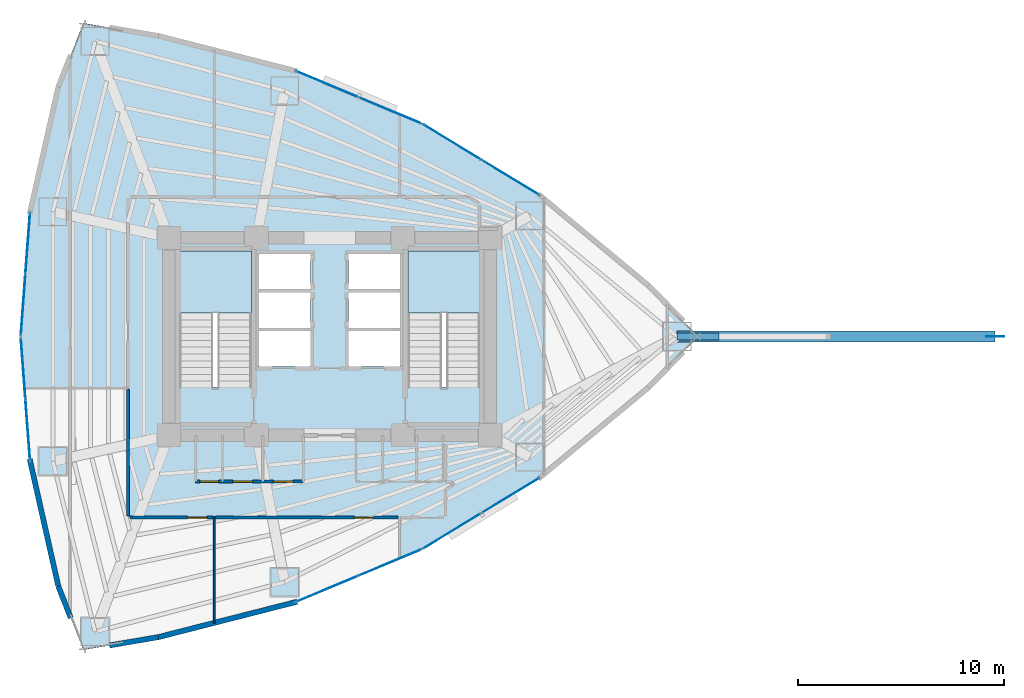
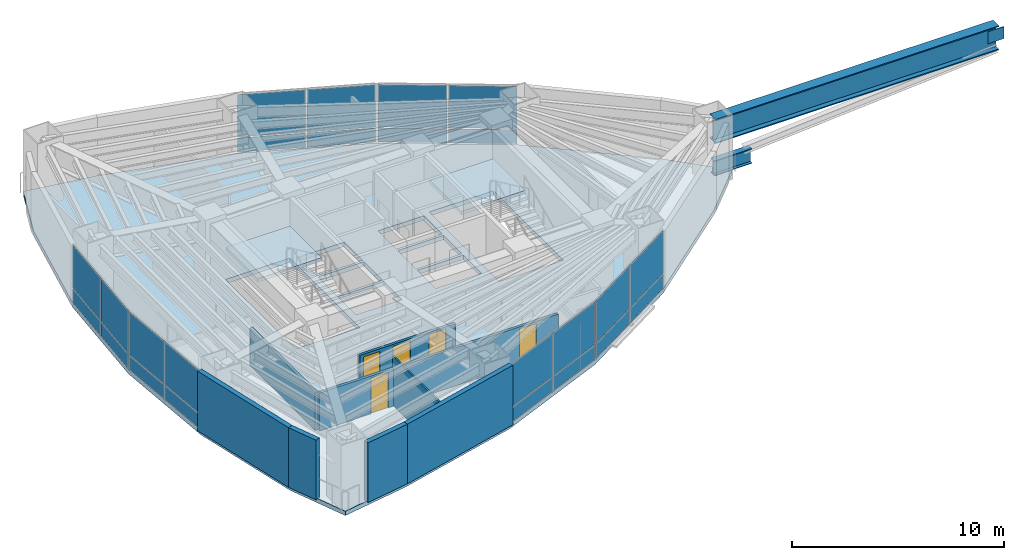
# One storey, part 13 of 18: 25 plates, 9 walls, 5 doors, 3 slabs, 2 beams, 5 openings, 8 elements without a shape of their own.
"""IFC4 building model written with IfcOpenShell, lengths in metres."""

from ifc_helpers import new_model, si_unit, direction, frame, frame_2d, origin, origin_2d, place, context, subcontext, project, spatial, polyline, rectangle, i_section, outline, extrude, material, layer, layer_set, material_profile, profile_set, type_object, element, fill, aggregate, save


model = new_model("IFC4")

# Units and contexts
model_context = context("Model", 3, precision=1e-05, world=origin(), true_north=direction((0.0, 1.0)))
body_context = subcontext(model_context, "Body", "Model", "MODEL_VIEW")
ifc_project = project(units=[si_unit("LENGTHUNIT", "METRE"), si_unit("AREAUNIT", "SQUARE_METRE"), si_unit("VOLUMEUNIT", "CUBIC_METRE"), si_unit("PLANEANGLEUNIT", "RADIAN"), si_unit("MASSUNIT", "GRAM", prefix="KILO")], contexts=[model_context])

# Site, building, storey
site_placement = place(None, origin())
site = spatial("IfcSite", under=ifc_project, at=site_placement, CompositionType="ELEMENT")
building_placement = place(site_placement, origin())
building = spatial("IfcBuilding", under=site, at=building_placement, Name="Menara Vayukalpa", CompositionType="ELEMENT")
storey_placement = place(building_placement, frame((0.0, 0.0, 53.639892578125)))
storey = spatial("IfcBuildingStorey", under=building, at=storey_placement, Name="L12", CompositionType="ELEMENT", Elevation=53.639892578125)

# Beams
ifc_material_1 = material(Name="Steel S355", Category="steel")
ifc_material_profile_1 = material_profile(ifc_material_1, i_section(OverallWidth=0.320068359375, OverallDepth=0.85009765625, WebThickness=0.01611328125, FlangeThickness=0.030029296875, at=origin_2d()), Name="WF 850x320x16x30")
ifc_profile_set_1 = profile_set([ifc_material_profile_1], Name="Steel S355")
beam_type_1 = type_object("IfcBeamType", Name="BM-PG2E", PredefinedType="BEAM", material=ifc_profile_set_1)
beam_1_placement = place(storey_placement, frame((42.46484375, 22.0, 0.550048828125), z_axis=(1.0, 0.0, 0.0), x_axis=(0.0, 1.0, 0.0)))
element("IfcBeam", 1, at=beam_1_placement, inside=storey, type_object=beam_type_1, Name="L12 SB1 Exterior Outrigger Corbel Bracket 01", PredefinedType="BEAM", context=body_context, shape_type="SweptSolid", body=[
    extrude(i_section(OverallWidth=0.320068359375, OverallDepth=0.85009765625, WebThickness=0.01611328125, FlangeThickness=0.030029296875, at=origin_2d()), origin(), (0.0, 0.0, 1.0), 2.050048828125),
])
ifc_material_2 = material(Name="Steel S460", Category="steel")
ifc_material_profile_2 = material_profile(ifc_material_2, i_section(OverallWidth=0.550048828125, OverallDepth=1.39990234375, WebThickness=0.031982421875, FlangeThickness=0.06005859375, at=origin_2d()), Name="WG 1400x550x32x60")
ifc_profile_set_2 = profile_set([ifc_material_profile_2], Name="Steel S460")
beam_type_2 = type_object("IfcBeamType", Name="BM-TG1E", PredefinedType="BEAM", material=ifc_profile_set_2)
beam_2_placement = place(storey_placement, frame((42.46484375, 22.0, 2.739990234375), z_axis=(1.0, 0.0, 0.0), x_axis=(0.0, 1.0, 0.0)))
element("IfcBeam", 2, at=beam_2_placement, inside=storey, type_object=beam_type_2, Name="L12 SB1 Cantilever Support Transfer Girder 01", PredefinedType="BEAM", context=body_context, shape_type="SweptSolid", body=[
    extrude(i_section(OverallWidth=0.550048828125, OverallDepth=1.39990234375, WebThickness=0.031982421875, FlangeThickness=0.06005859375, at=origin_2d()), origin(), (0.0, 0.0, 1.0), 15.44287109375),
])

# Curtain wall, plates
ifc_material_3 = material(Name="Anodised Terracotta Aluminium Alloy 6063-T6", Category="masonry")
ifc_layer_1 = layer(ifc_material_3, 0.1650390625)
ifc_layer_set_1 = layer_set([ifc_layer_1], Name="Anodised Terracotta Aluminium Alloy 6063-T6")
curtain_wall_type = type_object("IfcCurtainWallType", Name="CW-CW2", PredefinedType="USERDEFINED", material=ifc_layer_set_1)
curtain_wall_1_placement = place(storey_placement, origin())
curtain_wall_1 = element("IfcCurtainWall", 3, at=curtain_wall_1_placement, inside=storey, type_object=curtain_wall_type, Name="L12 Low Rise Terracotta Ribbon Curtain Wall CW2 04", ObjectType="UNITISED", PredefinedType="USERDEFINED")
ifc_material_4 = material(Name="Low-E Double Glazing", Category="glass")
ifc_layer_2 = layer(ifc_material_4, 0.031982421875)
ifc_layer_set_2 = layer_set([ifc_layer_2], Name="Low-E Double Glazing")
plate_type_1 = type_object("IfcPlateType", Name="CWP-CW2", PredefinedType="CURTAIN_PANEL", material=ifc_layer_set_2)
plate_1_placement = place(storey_placement, frame((34.371826171875, 29.721435546875, 0.06494140625), z_axis=(0.0, 0.0, 1.0), x_axis=(-0.854663727945, 0.519181964377, 0.0)))
plate_1 = element("IfcPlate", 4, at=plate_1_placement, type_object=plate_type_1, Name="CW2 panel 1.1", PredefinedType="CURTAIN_PANEL", context=body_context, shape_type="SweptSolid", body=[
    extrude(rectangle(XDim=3.24267578125, YDim=0.031982421875, at=origin_2d()), origin(), (0.0, 0.0, 1.0), 0.802490234375),
])
plate_2_placement = place(storey_placement, frame((34.371826171875, 29.721435546875, 0.9326171875), z_axis=(0.0, 0.0, 1.0), x_axis=(-0.854663727945, 0.519181964377, 0.0)))
plate_2 = element("IfcPlate", 5, at=plate_2_placement, type_object=plate_type_1, Name="CW2 panel 1.2", PredefinedType="CURTAIN_PANEL", context=body_context, shape_type="SweptSolid", body=[
    extrude(rectangle(XDim=3.24267578125, YDim=0.031982421875, at=origin_2d()), origin(), (0.0, 0.0, 1.0), 2.4423828125),
])
plate_3_placement = place(storey_placement, frame((31.54052734375, 31.44140625, 0.06494140625), z_axis=(0.0, 0.0, 1.0), x_axis=(-0.854663727945, 0.519181964377, 0.0)))
plate_3 = element("IfcPlate", 6, at=plate_3_placement, type_object=plate_type_1, Name="CW2 panel 2.1", PredefinedType="CURTAIN_PANEL", context=body_context, shape_type="SweptSolid", body=[
    extrude(rectangle(XDim=3.24267578125, YDim=0.031982421875, at=origin_2d()), origin(), (0.0, 0.0, 1.0), 0.802490234375),
])
plate_4_placement = place(storey_placement, frame((31.54052734375, 31.44140625, 0.9326171875), z_axis=(0.0, 0.0, 1.0), x_axis=(-0.854663727945, 0.519181964377, 0.0)))
plate_4 = element("IfcPlate", 7, at=plate_4_placement, type_object=plate_type_1, Name="CW2 panel 2.2", PredefinedType="CURTAIN_PANEL", context=body_context, shape_type="SweptSolid", body=[
    extrude(rectangle(XDim=3.24267578125, YDim=0.031982421875, at=origin_2d()), origin(), (0.0, 0.0, 1.0), 2.4423828125),
])
aggregate(curtain_wall_1, [plate_1, plate_2, plate_3, plate_4])

curtain_wall_2_placement = place(storey_placement, origin())
curtain_wall_2 = element("IfcCurtainWall", 8, at=curtain_wall_2_placement, inside=storey, type_object=curtain_wall_type, Name="L12 Low Rise Terracotta Ribbon Curtain Wall CW2 05", ObjectType="UNITISED", PredefinedType="USERDEFINED")
plate_5_placement = place(storey_placement, frame((28.534912109375, 32.97216796875, 0.06494140625), z_axis=(0.0, 0.0, 1.0), x_axis=(-0.922542658101, 0.385895120445, 0.0)))
plate_5 = element("IfcPlate", 9, at=plate_5_placement, type_object=plate_type_1, Name="CW2 panel 1.1", PredefinedType="CURTAIN_PANEL", context=body_context, shape_type="SweptSolid", body=[
    extrude(rectangle(XDim=3.242431640625, YDim=0.031982421875, at=origin_2d()), origin(), (0.0, 0.0, 1.0), 0.802490234375),
])
plate_6_placement = place(storey_placement, frame((28.534912109375, 32.97216796875, 0.9326171875), z_axis=(0.0, 0.0, 1.0), x_axis=(-0.922542658101, 0.385895120445, 0.0)))
plate_6 = element("IfcPlate", 10, at=plate_6_placement, type_object=plate_type_1, Name="CW2 panel 1.2", PredefinedType="CURTAIN_PANEL", context=body_context, shape_type="SweptSolid", body=[
    extrude(rectangle(XDim=3.242431640625, YDim=0.031982421875, at=origin_2d()), origin(), (0.0, 0.0, 1.0), 2.4423828125),
])
plate_7_placement = place(storey_placement, frame((25.478759765625, 34.250244140625, 0.06494140625), z_axis=(0.0, 0.0, 1.0), x_axis=(-0.922542658101, 0.385895120445, 0.0)))
plate_7 = element("IfcPlate", 11, at=plate_7_placement, type_object=plate_type_1, Name="CW2 panel 2.1", PredefinedType="CURTAIN_PANEL", context=body_context, shape_type="SweptSolid", body=[
    extrude(rectangle(XDim=3.242431640625, YDim=0.031982421875, at=origin_2d()), origin(), (0.0, 0.0, 1.0), 0.802490234375),
])
plate_8_placement = place(storey_placement, frame((25.478759765625, 34.250244140625, 0.9326171875), z_axis=(0.0, 0.0, 1.0), x_axis=(-0.922542658101, 0.385895120445, 0.0)))
plate_8 = element("IfcPlate", 12, at=plate_8_placement, type_object=plate_type_1, Name="CW2 panel 2.2", PredefinedType="CURTAIN_PANEL", context=body_context, shape_type="SweptSolid", body=[
    extrude(rectangle(XDim=3.242431640625, YDim=0.031982421875, at=origin_2d()), origin(), (0.0, 0.0, 1.0), 2.4423828125),
])
aggregate(curtain_wall_2, [plate_5, plate_6, plate_7, plate_8])

curtain_wall_3_placement = place(storey_placement, origin())
curtain_wall_3 = element("IfcCurtainWall", 13, at=curtain_wall_3_placement, inside=storey, type_object=curtain_wall_type, Name="L12 Low Rise Terracotta Ribbon Curtain Wall CW2 10", ObjectType="UNITISED", PredefinedType="USERDEFINED")
plate_9_placement = place(storey_placement, frame((10.94921875, 26.52734375, 0.06494140625), z_axis=(0.0, 0.0, 1.0), x_axis=(-0.074794857576, -0.997198941676, 0.0)))
plate_9 = element("IfcPlate", 14, at=plate_9_placement, type_object=plate_type_1, Name="CW2 panel 1.1", PredefinedType="CURTAIN_PANEL", context=body_context, shape_type="SweptSolid", body=[
    extrude(rectangle(XDim=2.933349609375, YDim=0.031982421875, at=origin_2d()), origin(), (0.0, 0.0, 1.0), 0.802490234375),
])
plate_10_placement = place(storey_placement, frame((10.94921875, 26.52734375, 0.9326171875), z_axis=(0.0, 0.0, 1.0), x_axis=(-0.074794857576, -0.997198941676, 0.0)))
plate_10 = element("IfcPlate", 15, at=plate_10_placement, type_object=plate_type_1, Name="CW2 panel 1.2", PredefinedType="CURTAIN_PANEL", context=body_context, shape_type="SweptSolid", body=[
    extrude(rectangle(XDim=2.933349609375, YDim=0.031982421875, at=origin_2d()), origin(), (0.0, 0.0, 1.0), 2.4423828125),
])
plate_11_placement = place(storey_placement, frame((10.724609375, 23.532470703125, 0.06494140625), z_axis=(0.0, 0.0, 1.0), x_axis=(-0.074794857576, -0.997198941676, 0.0)))
plate_11 = element("IfcPlate", 16, at=plate_11_placement, type_object=plate_type_1, Name="CW2 panel 2.1", PredefinedType="CURTAIN_PANEL", context=body_context, shape_type="SweptSolid", body=[
    extrude(rectangle(XDim=2.933349609375, YDim=0.031982421875, at=origin_2d()), origin(), (0.0, 0.0, 1.0), 0.802490234375),
])
plate_12_placement = place(storey_placement, frame((10.724609375, 23.532470703125, 0.9326171875), z_axis=(0.0, 0.0, 1.0), x_axis=(-0.074794857576, -0.997198941676, 0.0)))
plate_12 = element("IfcPlate", 17, at=plate_12_placement, type_object=plate_type_1, Name="CW2 panel 2.2", PredefinedType="CURTAIN_PANEL", context=body_context, shape_type="SweptSolid", body=[
    extrude(rectangle(XDim=2.933349609375, YDim=0.031982421875, at=origin_2d()), origin(), (0.0, 0.0, 1.0), 2.4423828125),
])
aggregate(curtain_wall_3, [plate_9, plate_10, plate_11, plate_12])

curtain_wall_4_placement = place(storey_placement, origin())
curtain_wall_4 = element("IfcCurtainWall", 18, at=curtain_wall_4_placement, inside=storey, type_object=curtain_wall_type, Name="L12 Low Rise Terracotta Ribbon Curtain Wall CW2 11", ObjectType="UNITISED", PredefinedType="USERDEFINED")
plate_13_placement = place(storey_placement, frame((10.724609375, 20.467529296875, 0.06494140625), z_axis=(0.0, 0.0, 1.0), x_axis=(0.074794857576, -0.997198941676, 0.0)))
plate_13 = element("IfcPlate", 19, at=plate_13_placement, type_object=plate_type_1, Name="CW2 panel 1.1", PredefinedType="CURTAIN_PANEL", context=body_context, shape_type="SweptSolid", body=[
    extrude(rectangle(XDim=2.933349609375, YDim=0.031982421875, at=origin_2d()), origin(), (0.0, 0.0, 1.0), 0.802490234375),
])
plate_14_placement = place(storey_placement, frame((10.724609375, 20.467529296875, 0.9326171875), z_axis=(0.0, 0.0, 1.0), x_axis=(0.074794857576, -0.997198941676, 0.0)))
plate_14 = element("IfcPlate", 20, at=plate_14_placement, type_object=plate_type_1, Name="CW2 panel 1.2", PredefinedType="CURTAIN_PANEL", context=body_context, shape_type="SweptSolid", body=[
    extrude(rectangle(XDim=2.933349609375, YDim=0.031982421875, at=origin_2d()), origin(), (0.0, 0.0, 1.0), 2.4423828125),
])
plate_15_placement = place(storey_placement, frame((10.94921875, 17.47265625, 0.06494140625), z_axis=(0.0, 0.0, 1.0), x_axis=(0.074794857576, -0.997198941676, 0.0)))
plate_15 = element("IfcPlate", 21, at=plate_15_placement, type_object=plate_type_1, Name="CW2 panel 2.1", PredefinedType="CURTAIN_PANEL", context=body_context, shape_type="SweptSolid", body=[
    extrude(rectangle(XDim=2.933349609375, YDim=0.031982421875, at=origin_2d()), origin(), (0.0, 0.0, 1.0), 0.802490234375),
])
plate_16_placement = place(storey_placement, frame((10.94921875, 17.47265625, 0.9326171875), z_axis=(0.0, 0.0, 1.0), x_axis=(0.074794857576, -0.997198941676, 0.0)))
plate_16 = element("IfcPlate", 22, at=plate_16_placement, type_object=plate_type_1, Name="CW2 panel 2.2", PredefinedType="CURTAIN_PANEL", context=body_context, shape_type="SweptSolid", body=[
    extrude(rectangle(XDim=2.933349609375, YDim=0.031982421875, at=origin_2d()), origin(), (0.0, 0.0, 1.0), 2.4423828125),
])
aggregate(curtain_wall_4, [plate_13, plate_14, plate_15, plate_16])

curtain_wall_5_placement = place(storey_placement, origin())
curtain_wall_5 = element("IfcCurtainWall", 23, at=curtain_wall_5_placement, inside=storey, type_object=curtain_wall_type, Name="L12 Low Rise Terracotta Ribbon Curtain Wall CW2 16", ObjectType="UNITISED", PredefinedType="USERDEFINED")
plate_17_placement = place(storey_placement, frame((25.478759765625, 9.749755859375, 0.06494140625), z_axis=(0.0, 0.0, 1.0), x_axis=(0.922542658101, 0.385895120445, 0.0)))
plate_17 = element("IfcPlate", 24, at=plate_17_placement, type_object=plate_type_1, Name="CW2 panel 1.1", PredefinedType="CURTAIN_PANEL", context=body_context, shape_type="SweptSolid", body=[
    extrude(rectangle(XDim=3.242431640625, YDim=0.031982421875, at=origin_2d()), origin(), (0.0, 0.0, 1.0), 0.802490234375),
])
plate_18_placement = place(storey_placement, frame((25.478759765625, 9.749755859375, 0.9326171875), z_axis=(0.0, 0.0, 1.0), x_axis=(0.922542658101, 0.385895120445, 0.0)))
plate_18 = element("IfcPlate", 25, at=plate_18_placement, type_object=plate_type_1, Name="CW2 panel 1.2", PredefinedType="CURTAIN_PANEL", context=body_context, shape_type="SweptSolid", body=[
    extrude(rectangle(XDim=3.242431640625, YDim=0.031982421875, at=origin_2d()), origin(), (0.0, 0.0, 1.0), 2.4423828125),
])
plate_19_placement = place(storey_placement, frame((28.534912109375, 11.02783203125, 0.06494140625), z_axis=(0.0, 0.0, 1.0), x_axis=(0.922542658101, 0.385895120445, 0.0)))
plate_19 = element("IfcPlate", 26, at=plate_19_placement, type_object=plate_type_1, Name="CW2 panel 2.1", PredefinedType="CURTAIN_PANEL", context=body_context, shape_type="SweptSolid", body=[
    extrude(rectangle(XDim=3.242431640625, YDim=0.031982421875, at=origin_2d()), origin(), (0.0, 0.0, 1.0), 0.802490234375),
])
plate_20_placement = place(storey_placement, frame((28.534912109375, 11.02783203125, 0.9326171875), z_axis=(0.0, 0.0, 1.0), x_axis=(0.922542658101, 0.385895120445, 0.0)))
plate_20 = element("IfcPlate", 27, at=plate_20_placement, type_object=plate_type_1, Name="CW2 panel 2.2", PredefinedType="CURTAIN_PANEL", context=body_context, shape_type="SweptSolid", body=[
    extrude(rectangle(XDim=3.242431640625, YDim=0.031982421875, at=origin_2d()), origin(), (0.0, 0.0, 1.0), 2.4423828125),
])
aggregate(curtain_wall_5, [plate_17, plate_18, plate_19, plate_20])

curtain_wall_6_placement = place(storey_placement, origin())
curtain_wall_6 = element("IfcCurtainWall", 28, at=curtain_wall_6_placement, inside=storey, type_object=curtain_wall_type, Name="L12 Low Rise Terracotta Ribbon Curtain Wall CW2 17", ObjectType="UNITISED", PredefinedType="USERDEFINED")
plate_21_placement = place(storey_placement, frame((31.54052734375, 12.55859375, 0.06494140625), z_axis=(0.0, 0.0, 1.0), x_axis=(0.854663727945, 0.519181964377, 0.0)))
plate_21 = element("IfcPlate", 29, at=plate_21_placement, type_object=plate_type_1, Name="CW2 panel 1.1", PredefinedType="CURTAIN_PANEL", context=body_context, shape_type="SweptSolid", body=[
    extrude(rectangle(XDim=3.24267578125, YDim=0.031982421875, at=origin_2d()), origin(), (0.0, 0.0, 1.0), 0.802490234375),
])
plate_22_placement = place(storey_placement, frame((31.54052734375, 12.55859375, 0.9326171875), z_axis=(0.0, 0.0, 1.0), x_axis=(0.854663727945, 0.519181964377, 0.0)))
plate_22 = element("IfcPlate", 30, at=plate_22_placement, type_object=plate_type_1, Name="CW2 panel 1.2", PredefinedType="CURTAIN_PANEL", context=body_context, shape_type="SweptSolid", body=[
    extrude(rectangle(XDim=3.24267578125, YDim=0.031982421875, at=origin_2d()), origin(), (0.0, 0.0, 1.0), 2.4423828125),
])
plate_23_placement = place(storey_placement, frame((34.371826171875, 14.278564453125, 0.06494140625), z_axis=(0.0, 0.0, 1.0), x_axis=(0.854663727945, 0.519181964377, 0.0)))
plate_23 = element("IfcPlate", 31, at=plate_23_placement, type_object=plate_type_1, Name="CW2 panel 2.1", PredefinedType="CURTAIN_PANEL", context=body_context, shape_type="SweptSolid", body=[
    extrude(rectangle(XDim=3.24267578125, YDim=0.031982421875, at=origin_2d()), origin(), (0.0, 0.0, 1.0), 0.802490234375),
])
plate_24_placement = place(storey_placement, frame((34.371826171875, 14.278564453125, 0.9326171875), z_axis=(0.0, 0.0, 1.0), x_axis=(0.854663727945, 0.519181964377, 0.0)))
plate_24 = element("IfcPlate", 32, at=plate_24_placement, type_object=plate_type_1, Name="CW2 panel 2.2", PredefinedType="CURTAIN_PANEL", context=body_context, shape_type="SweptSolid", body=[
    extrude(rectangle(XDim=3.24267578125, YDim=0.031982421875, at=origin_2d()), origin(), (0.0, 0.0, 1.0), 2.4423828125),
])
aggregate(curtain_wall_6, [plate_21, plate_22, plate_23, plate_24])

# Plate
ifc_material_5 = material(Name="Steel S355", Category="steel")
ifc_layer_3 = layer(ifc_material_5, 0.031982421875)
ifc_layer_set_3 = layer_set([ifc_layer_3], Name="Steel S355")
plate_type_2 = type_object("IfcPlateType", Name="PLT-SBN1", PredefinedType="USERDEFINED", material=ifc_layer_set_3)
plate_25_placement = place(storey_placement, frame((57.90771484375, 22.0, 2.39013671875), z_axis=(0.0, 0.0, 1.0), x_axis=(1.0, 0.0, 0.0)))
element("IfcPlate", 33, at=plate_25_placement, inside=storey, type_object=plate_type_2, Name="L12 SB1 Support Node Gusset Plate 01", ObjectType="GUSSET_PLATE", PredefinedType="USERDEFINED", context=body_context, shape_type="SweptSolid", body=[
    extrude(rectangle(XDim=0.860107421875, YDim=0.031982421875, at=origin_2d()), origin(), (0.0, 0.0, 1.0), 0.699951171875),
])

# Slab
ifc_material_6 = material(Name="Concrete C40/50", Category="concrete")
ifc_layer_4 = layer(ifc_material_6, 0.25)
ifc_layer_set_4 = layer_set([ifc_layer_4], Name="Concrete C40/50")
slab_type_1 = type_object("IfcSlabType", Name="SLB-FL250", PredefinedType="FLOOR", material=ifc_layer_set_4)
slab_1_placement = place(storey_placement, frame((0.0, 0.0, -0.25)))
element("IfcSlab", 34, at=slab_1_placement, inside=storey, type_object=slab_type_1, Name="L12 Structural Floor Slab", PredefinedType="FLOOR", context=body_context, shape_type="SweptSolid", body=[
    extrude(outline(polyline([(41.084716796875, 19.52490234375), (43.514892578125, 22.0), (41.084716796875, 24.47509765625), (35.817138671875, 28.843505859375), (30.09521484375, 32.3193359375), (23.918701171875, 34.903076171875), (17.28759765625, 36.59423828125), (13.642578125, 37.212890625), (12.427490234375, 34.119140625), (11.064208984375, 28.0595703125), (10.609619140625, 22.0), (11.064208984375, 15.9404296875), (12.427490234375, 9.880859375), (13.642578125, 6.787109375), (17.28759765625, 7.40576171875), (23.918701171875, 9.096923828125), (30.09521484375, 11.6806640625), (35.817138671875, 15.156494140625), (41.084716796875, 19.52490234375)]), holes=[polyline([(21.800048828125, 19.550048828125), (21.800048828125, 26.14990234375), (18.300048828125, 26.14990234375), (18.300048828125, 19.550048828125), (21.800048828125, 19.550048828125)]), polyline([(32.89990234375, 19.550048828125), (32.89990234375, 26.14990234375), (29.39990234375, 26.14990234375), (29.39990234375, 19.550048828125), (32.89990234375, 19.550048828125)]), polyline([(22.179931640625, 20.550048828125), (24.679931640625, 20.550048828125), (24.679931640625, 22.27001953125), (22.179931640625, 22.27001953125), (22.179931640625, 20.550048828125)]), polyline([(26.52001953125, 20.550048828125), (29.02001953125, 20.550048828125), (29.02001953125, 22.27001953125), (26.52001953125, 22.27001953125), (26.52001953125, 20.550048828125)]), polyline([(22.179931640625, 22.419921875), (24.679931640625, 22.419921875), (24.679931640625, 24.139892578125), (22.179931640625, 24.139892578125), (22.179931640625, 22.419921875)]), polyline([(22.179931640625, 24.2900390625), (24.679931640625, 24.2900390625), (24.679931640625, 26.010009765625), (22.179931640625, 26.010009765625), (22.179931640625, 24.2900390625)]), polyline([(26.52001953125, 24.2900390625), (29.02001953125, 24.2900390625), (29.02001953125, 26.010009765625), (26.52001953125, 26.010009765625), (26.52001953125, 24.2900390625)]), polyline([(26.52001953125, 22.419921875), (29.02001953125, 22.419921875), (29.02001953125, 24.139892578125), (26.52001953125, 24.139892578125), (26.52001953125, 22.419921875)])]), origin(), (0.0, 0.0, 1.0), 0.25),
])

# Stair, slab
ifc_material_7 = material(Name="Precast Concrete C40/50", Category="concrete")
stair_type = type_object("IfcStairType", Name="STR-T04", PredefinedType="DOUBLE_RETURN_STAIR", material=ifc_material_7)
stair_1_placement = place(storey_placement, origin())
stair_1 = element("IfcStair", 35, at=stair_1_placement, inside=storey, type_object=stair_type, Name="L12 Core Exit Stair ST-1", PredefinedType="DOUBLE_RETURN_STAIR")
ifc_material_8 = material(Name="Precast Concrete C40/50", Category="concrete")
ifc_layer_5 = layer(ifc_material_8, 0.199951171875)
ifc_layer_set_5 = layer_set([ifc_layer_5], Name="Precast Concrete C40/50")
slab_type_2 = type_object("IfcSlabType", Name="SLB-LND200", PredefinedType="LANDING", material=ifc_layer_set_5)
slab_2_placement = place(storey_placement, frame((0.0, 0.0, 1.66015625)))
slab_2 = element("IfcSlab", 36, at=slab_2_placement, type_object=slab_type_2, Name="ST-1 landing 1", PredefinedType="LANDING", context=body_context, shape_type="SweptSolid", body=[
    extrude(outline(polyline([(21.800048828125, 23.1298828125), (21.800048828125, 26.14990234375), (18.300048828125, 26.14990234375), (18.300048828125, 23.1298828125), (21.800048828125, 23.1298828125)])), origin(), (0.0, 0.0, 1.0), 0.199951171875),
])
aggregate(stair_1, [slab_2])

stair_2_placement = place(storey_placement, origin())
stair_2 = element("IfcStair", 37, at=stair_2_placement, inside=storey, type_object=stair_type, Name="L12 Core Exit Stair ST-2", PredefinedType="DOUBLE_RETURN_STAIR")
slab_3_placement = place(storey_placement, frame((0.0, 0.0, 1.66015625)))
slab_3 = element("IfcSlab", 38, at=slab_3_placement, type_object=slab_type_2, Name="ST-2 landing 1", PredefinedType="LANDING", context=body_context, shape_type="SweptSolid", body=[
    extrude(outline(polyline([(32.89990234375, 23.1298828125), (32.89990234375, 26.14990234375), (29.39990234375, 26.14990234375), (29.39990234375, 23.1298828125), (32.89990234375, 23.1298828125)])), origin(), (0.0, 0.0, 1.0), 0.199951171875),
])
aggregate(stair_2, [slab_3])

# Walls
ifc_material_9 = material(Name="Insulated Precast Concrete C40/50", Category="concrete")
ifc_layer_6 = layer(ifc_material_9, 0.260009765625)
ifc_layer_set_6 = layer_set([ifc_layer_6], Name="Insulated Precast Concrete C40/50")
wall_type_1 = type_object("IfcWallType", Name="WAL-EXT260", PredefinedType="PARTITIONING", material=ifc_layer_set_6)
wall_1_placement = place(storey_placement, frame((12.427490234375, 9.880859375, 0.0), z_axis=(0.0, 0.0, 1.0), x_axis=(-0.219502085231, 0.975612030768, 0.0)))
element("IfcWall", 39, at=wall_1_placement, inside=storey, type_object=wall_type_1, Name="L12 Perimeter Terracotta Pier Wall 12", PredefinedType="PARTITIONING", context=body_context, shape_type="SweptSolid", body=[
    extrude(rectangle(XDim=6.32080078125, YDim=0.260009765625, at=frame_2d((3.160400390625, 0.0))), origin(), (0.0, 0.0, 1.0), 3.440185546875),
])
wall_2_placement = place(storey_placement, frame((13.033203125, 8.339111328125, 0.0), z_axis=(0.0, 0.0, 1.0), x_axis=(-0.365666052462, 0.930746119023, 0.0)))
element("IfcWall", 40, at=wall_2_placement, inside=storey, type_object=wall_type_1, Name="L12 Perimeter Terracotta Pier Wall 13", PredefinedType="PARTITIONING", context=body_context, shape_type="SweptSolid", body=[
    extrude(rectangle(XDim=1.656494140625, YDim=0.260009765625, at=frame_2d((0.828125, 0.0))), origin(), (0.0, 0.0, 1.0), 3.440185546875),
])
wall_3_placement = place(storey_placement, frame((17.29345703125, 7.40673828125, 0.0), z_axis=(0.0, 0.0, 1.0), x_axis=(-0.985905469923, -0.167303330437, 0.0)))
element("IfcWall", 41, at=wall_3_placement, inside=storey, type_object=wall_type_1, Name="L12 Perimeter Terracotta Pier Wall 14", PredefinedType="PARTITIONING", context=body_context, shape_type="SweptSolid", body=[
    extrude(rectangle(XDim=2.412109375, YDim=0.260009765625, at=frame_2d((1.2060546875, 0.0))), origin(), (0.0, 0.0, 1.0), 3.440185546875),
])
wall_4_placement = place(storey_placement, frame((24.025146484375, 9.124267578125, 0.0), z_axis=(0.0, 0.0, 1.0), x_axis=(-0.968977974408, -0.247147092057, 0.0)))
element("IfcWall", 42, at=wall_4_placement, inside=storey, type_object=wall_type_1, Name="L12 Perimeter Terracotta Pier Wall 15", PredefinedType="PARTITIONING", context=body_context, shape_type="SweptSolid", body=[
    extrude(rectangle(XDim=6.959228515625, YDim=0.260009765625, at=frame_2d((3.4794921875, 0.0))), origin(), (0.0, 0.0, 1.0), 3.440185546875),
])
ifc_material_10 = material(Name="Glazed Demountable Office Partition", Category="glass")
ifc_layer_7 = layer(ifc_material_10, 0.094970703125)
ifc_layer_set_7 = layer_set([ifc_layer_7], Name="Glazed Demountable Office Partition")
wall_type_2 = type_object("IfcWallType", Name="WAL-PT100", PredefinedType="PARTITIONING", material=ifc_layer_set_7)
wall_5_placement = place(storey_placement, frame((20.0, 8.08740234375, 0.0), z_axis=(0.0, 0.0, 1.0), x_axis=(0.0, 1.0, 0.0)))
element("IfcWall", 43, at=wall_5_placement, inside=storey, type_object=wall_type_2, Name="L12 Interior Partition IW-L12-RDIV02", PredefinedType="PARTITIONING", context=body_context, shape_type="SweptSolid", body=[
    extrude(rectangle(XDim=5.172607421875, YDim=0.094970703125, at=frame_2d((2.58642578125, 0.0))), origin(), (0.0, 0.0, 1.0), 2.820068359375),
])

# Wall, openings, doors
ifc_material_11 = material(Name="Gypsum Drywall Acoustic Stud Assembly", Category="masonry")
ifc_layer_8 = layer(ifc_material_11, 0.14501953125)
ifc_layer_set_8 = layer_set([ifc_layer_8], Name="Gypsum Drywall Acoustic Stud Assembly")
wall_type_3 = type_object("IfcWallType", Name="WAL-PT150", PredefinedType="PARTITIONING", material=ifc_layer_set_8)
wall_6_placement = place(storey_placement, frame((19.10009765625, 14.949951171875, 0.0), z_axis=(0.0, 0.0, 1.0), x_axis=(1.0, 0.0, 0.0)))
wall_6 = element("IfcWall", 44, at=wall_6_placement, inside=storey, type_object=wall_type_3, Name="L12 Interior Partition IW-L12-SVCS-W", PredefinedType="PARTITIONING", context=body_context, shape_type="SweptSolid", body=[
    extrude(rectangle(XDim=5.219970703125, YDim=0.14501953125, at=frame_2d((2.60986328125, 0.0))), origin(), (0.0, 0.0, 1.0), 2.170166015625),
])
opening_1_placement = place(wall_6_placement, frame((0.199951171875, 0.0, 0.0)))
opening_1 = element("IfcOpeningElement", 45, at=opening_1_placement, cuts=wall_6, Name="Opening ID7", PredefinedType="OPENING", context=body_context, shape_type="SweptSolid", body=[
    extrude(rectangle(XDim=0.89990234375, YDim=2.02001953125, at=frame_2d((0.449951171875, 1.010009765625))), frame((0.0, 0.08251953125, 0.0), z_axis=(0.0, -1.0, 0.0), x_axis=(1.0, 0.0, 0.0)), (0.0, 0.0, 1.0), 0.1650390625),
])
opening_2_placement = place(wall_6_placement, frame((1.804931640625, 0.0, 0.0)))
opening_2 = element("IfcOpeningElement", 46, at=opening_2_placement, cuts=wall_6, Name="Opening ID5", PredefinedType="OPENING", context=body_context, shape_type="SweptSolid", body=[
    extrude(rectangle(XDim=0.949951171875, YDim=2.06005859375, at=frame_2d((0.47509765625, 1.030029296875))), frame((0.0, 0.08251953125, 0.0), z_axis=(0.0, -1.0, 0.0), x_axis=(1.0, 0.0, 0.0)), (0.0, 0.0, 1.0), 0.1650390625),
])
opening_3_placement = place(wall_6_placement, frame((3.764892578125, 0.0, 0.0)))
opening_3 = element("IfcOpeningElement", 47, at=opening_3_placement, cuts=wall_6, Name="Opening ID5", PredefinedType="OPENING", context=body_context, shape_type="SweptSolid", body=[
    extrude(rectangle(XDim=0.949951171875, YDim=2.06005859375, at=frame_2d((0.47509765625, 1.030029296875))), frame((0.0, 0.08251953125, 0.0), z_axis=(0.0, -1.0, 0.0), x_axis=(1.0, 0.0, 0.0)), (0.0, 0.0, 1.0), 0.1650390625),
])
ifc_material_12 = material(Name="Acoustic Hardwood Veneer Timber Door", Category="wood")
door_type_1 = type_object("IfcDoorType", Name="DR-INT95", OperationType="NOTDEFINED", PredefinedType="DOOR", material=ifc_material_12)
door_1_placement = place(opening_2_placement, origin())
door_1 = element("IfcDoor", 48, at=door_1_placement, inside=storey, type_object=door_type_1, Name="L12 Interior Door DR-L12-AWC", OperationType="SINGLE_SWING_RIGHT", OverallHeight=2.06005859375, OverallWidth=0.949951171875, PredefinedType="DOOR", context=body_context, shape_type="SweptSolid", body=[
    extrude(rectangle(XDim=0.949951171875, YDim=2.06005859375, at=frame_2d((0.47509765625, 1.030029296875))), frame((0.0, 0.02490234375, 0.0), z_axis=(0.0, -1.0, 0.0), x_axis=(1.0, 0.0, 0.0)), (0.0, 0.0, 1.0), 0.050048828125),
])
fill(opening_2, door_1)
door_2_placement = place(opening_3_placement, origin())
door_2 = element("IfcDoor", 49, at=door_2_placement, inside=storey, type_object=door_type_1, Name="L12 Interior Door DR-L12-SWC", OperationType="SINGLE_SWING_LEFT", OverallHeight=2.06005859375, OverallWidth=0.949951171875, PredefinedType="DOOR", context=body_context, shape_type="SweptSolid", body=[
    extrude(rectangle(XDim=0.949951171875, YDim=2.06005859375, at=frame_2d((0.47509765625, 1.030029296875))), frame((0.0, 0.02490234375, 0.0), z_axis=(0.0, -1.0, 0.0), x_axis=(1.0, 0.0, 0.0)), (0.0, 0.0, 1.0), 0.050048828125),
])
fill(opening_3, door_2)
ifc_material_13 = material(Name="Powder-Coated Steel Riser Access Door", Category="steel")
door_type_2 = type_object("IfcDoorType", Name="DR-RISER", OperationType="NOTDEFINED", PredefinedType="DOOR", material=ifc_material_13)
door_3_placement = place(opening_1_placement, origin())
door_3 = element("IfcDoor", 50, at=door_3_placement, inside=storey, type_object=door_type_2, Name="L12 Interior Door DR-L12-ELR", OperationType="SINGLE_SWING_LEFT", OverallHeight=2.02001953125, OverallWidth=0.89990234375, PredefinedType="DOOR", context=body_context, shape_type="SweptSolid", body=[
    extrude(rectangle(XDim=0.89990234375, YDim=2.02001953125, at=frame_2d((0.449951171875, 1.010009765625))), frame((0.0, 0.02490234375, 0.0), z_axis=(0.0, -1.0, 0.0), x_axis=(1.0, 0.0, 0.0)), (0.0, 0.0, 1.0), 0.050048828125),
])
fill(opening_1, door_3)

# Wall
wall_7_placement = place(storey_placement, frame((15.820068359375, 19.429931640625, 0.0), z_axis=(0.0, 0.0, 1.0), x_axis=(0.0, -1.0, 0.0)))
element("IfcWall", 51, at=wall_7_placement, inside=storey, type_object=wall_type_3, Name="L12 Interior Partition IW-L12-CRM03-1", PredefinedType="PARTITIONING", context=body_context, shape_type="SweptSolid", body=[
    extrude(rectangle(XDim=6.139892578125, YDim=0.14501953125, at=frame_2d((3.06982421875, 0.0))), origin(), (0.0, 0.0, 1.0), 2.170166015625),
])

# Wall, opening, door
wall_8_placement = place(storey_placement, frame((15.89990234375, 13.2099609375, 0.0), z_axis=(0.0, 0.0, 1.0), x_axis=(1.0, 0.0, 0.0)))
wall_8 = element("IfcWall", 52, at=wall_8_placement, inside=storey, type_object=wall_type_3, Name="L12 Interior Partition IW-L12-CRM03-2", PredefinedType="PARTITIONING", context=body_context, shape_type="SweptSolid", body=[
    extrude(rectangle(XDim=4.030029296875, YDim=0.14501953125, at=frame_2d((2.01513671875, 0.0))), origin(), (0.0, 0.0, 1.0), 2.170166015625),
])
opening_4_placement = place(wall_8_placement, frame((2.800048828125, 0.0, 0.0)))
opening_4 = element("IfcOpeningElement", 53, at=opening_4_placement, cuts=wall_8, Name="Opening ID5", PredefinedType="OPENING", context=body_context, shape_type="SweptSolid", body=[
    extrude(rectangle(XDim=0.949951171875, YDim=2.06005859375, at=frame_2d((0.47509765625, 1.030029296875))), frame((0.0, 0.08251953125, 0.0), z_axis=(0.0, -1.0, 0.0), x_axis=(1.0, 0.0, 0.0)), (0.0, 0.0, 1.0), 0.1650390625),
])
door_4_placement = place(opening_4_placement, origin())
door_4 = element("IfcDoor", 54, at=door_4_placement, inside=storey, type_object=door_type_1, Name="L12 Interior Door DR-L12-RM03", OperationType="SINGLE_SWING_LEFT", OverallHeight=2.06005859375, OverallWidth=0.949951171875, PredefinedType="DOOR", context=body_context, shape_type="SweptSolid", body=[
    extrude(rectangle(XDim=0.949951171875, YDim=2.06005859375, at=frame_2d((0.47509765625, 1.030029296875))), frame((0.0, 0.02490234375, 0.0), z_axis=(0.0, -1.0, 0.0), x_axis=(1.0, 0.0, 0.0)), (0.0, 0.0, 1.0), 0.050048828125),
])
fill(opening_4, door_4)

wall_9_placement = place(storey_placement, frame((20.070068359375, 13.2099609375, 0.0), z_axis=(0.0, 0.0, 1.0), x_axis=(1.0, 0.0, 0.0)))
wall_9 = element("IfcWall", 55, at=wall_9_placement, inside=storey, type_object=wall_type_3, Name="L12 Interior Partition IW-L12-CRM04-1", PredefinedType="PARTITIONING", context=body_context, shape_type="SweptSolid", body=[
    extrude(rectangle(XDim=8.85986328125, YDim=0.14501953125, at=frame_2d((4.429931640625, 0.0))), origin(), (0.0, 0.0, 1.0), 2.170166015625),
])
opening_5_placement = place(wall_9_placement, frame((6.737548828125, 0.0, 0.0)))
opening_5 = element("IfcOpeningElement", 56, at=opening_5_placement, cuts=wall_9, Name="Opening ID6", PredefinedType="OPENING", context=body_context, shape_type="SweptSolid", body=[
    extrude(rectangle(XDim=0.919921875, YDim=2.050048828125, at=frame_2d((0.4599609375, 1.02490234375))), frame((0.0, 0.08251953125, 0.0), z_axis=(0.0, -1.0, 0.0), x_axis=(1.0, 0.0, 0.0)), (0.0, 0.0, 1.0), 0.1650390625),
])
ifc_material_14 = material(Name="Acoustic Hardwood Veneer Timber Door", Category="wood")
door_type_3 = type_object("IfcDoorType", Name="DR-INT92", OperationType="NOTDEFINED", PredefinedType="DOOR", material=ifc_material_14)
door_5_placement = place(opening_5_placement, origin())
door_5 = element("IfcDoor", 57, at=door_5_placement, inside=storey, type_object=door_type_3, Name="L12 Interior Door DR-L12-RM04", OperationType="SINGLE_SWING_RIGHT", OverallHeight=2.050048828125, OverallWidth=0.919921875, PredefinedType="DOOR", context=body_context, shape_type="SweptSolid", body=[
    extrude(rectangle(XDim=0.919921875, YDim=2.050048828125, at=frame_2d((0.4599609375, 1.02490234375))), frame((0.0, 0.02490234375, 0.0), z_axis=(0.0, -1.0, 0.0), x_axis=(1.0, 0.0, 0.0)), (0.0, 0.0, 1.0), 0.050048828125),
])
fill(opening_5, door_5)

save(model, "model.ifc")
